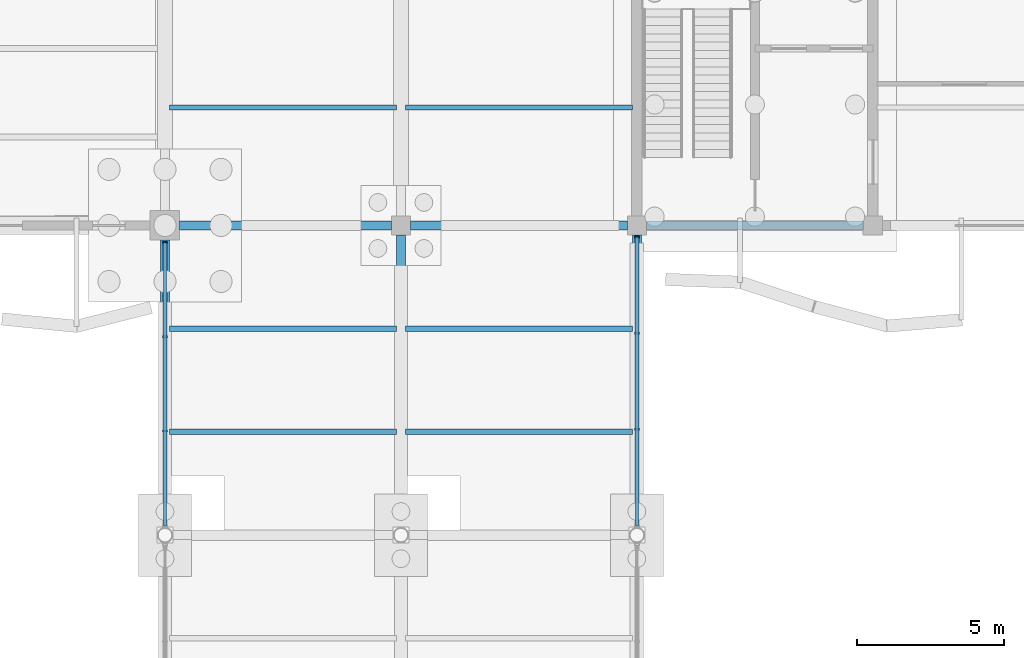
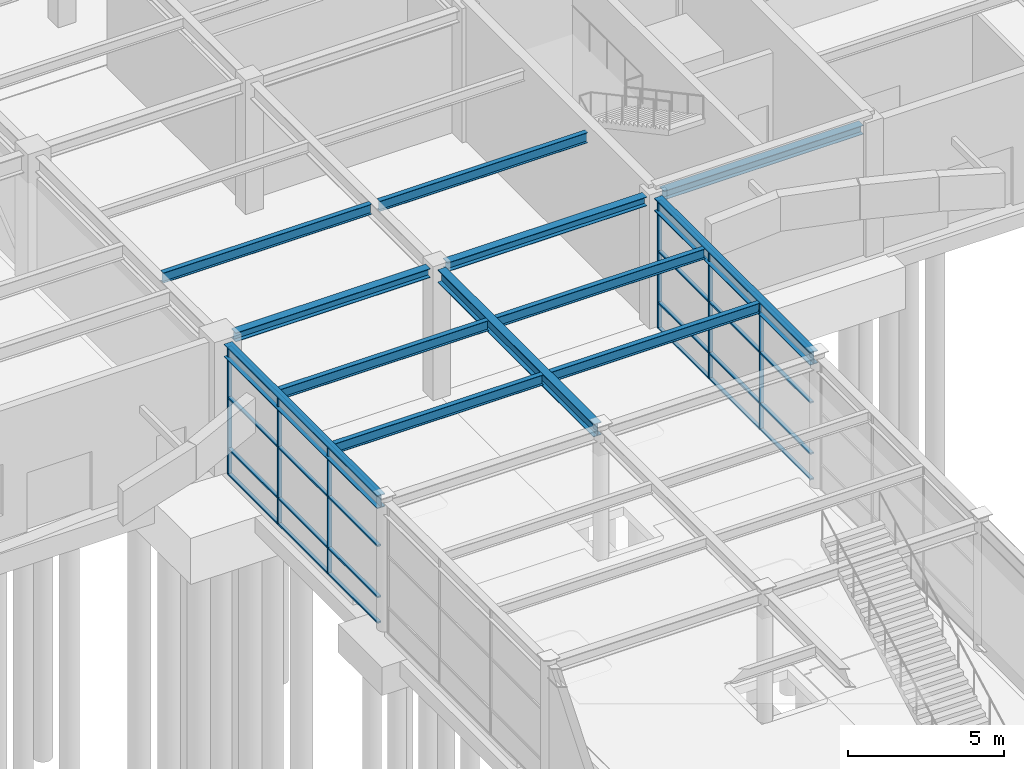
# One storey, part 42 of 85: 14 members, 12 beams, 2 elements without a shape of their own.
"""IFC4 building model written with IfcOpenShell, lengths in metres."""

from ifc_helpers import new_model, si_unit, direction, frame, origin, origin_2d, place, context, subcontext, project, spatial, rectangle, i_section, extrude, material, layer, layer_set, material_profile, profile_set, type_object, element, aggregate, save


model = new_model("IFC4")

# Units and contexts
model_context = context("Model", 3, precision=1e-05, world=origin(), true_north=direction((0.0, 1.0)))
body_context = subcontext(model_context, "Body", "Model", "MODEL_VIEW")
ifc_project = project(units=[si_unit("LENGTHUNIT", "METRE"), si_unit("AREAUNIT", "SQUARE_METRE"), si_unit("VOLUMEUNIT", "CUBIC_METRE"), si_unit("PLANEANGLEUNIT", "RADIAN"), si_unit("MASSUNIT", "GRAM", prefix="KILO")], contexts=[model_context])

# Site, building, storey
site_placement = place(None, origin())
site = spatial("IfcSite", under=ifc_project, at=site_placement, CompositionType="ELEMENT")
building_placement = place(site_placement, origin())
building = spatial("IfcBuilding", under=site, at=building_placement, Name="Keelwater Ferry Terminal", CompositionType="ELEMENT")
storey_placement = place(building_placement, origin())
storey = spatial("IfcBuildingStorey", under=building, at=storey_placement, Name="L00", CompositionType="ELEMENT", Elevation=0.0)

# Curtain wall, members
ifc_material_1 = material(Name="Thermally broken unitised aluminium and triple glass", Category="aluminium")
ifc_layer_1 = layer(ifc_material_1, 0.179931640625)
ifc_layer_set_1 = layer_set([ifc_layer_1], Name="Thermally broken unitised aluminium and triple glass")
curtain_wall_type_1 = type_object("IfcCurtainWallType", Name="CW-12 Unitised Curtain Wall 9596x4950", PredefinedType="USERDEFINED", material=ifc_layer_set_1)
curtain_wall_1_placement = place(storey_placement, origin())
curtain_wall_1 = element("IfcCurtainWall", 1, at=curtain_wall_1_placement, inside=storey, type_object=curtain_wall_type_1, Name="Unitised Curtain Wall CW-L00-063", ObjectType="UNITISED CURTAIN WALL", PredefinedType="USERDEFINED")
ifc_material_2 = material(Name="Aluminium mullion", Category="aluminium")
ifc_material_profile_1 = material_profile(ifc_material_2, rectangle(XDim=0.06005859375, YDim=0.14990234375, at=origin_2d()), Name="CWM-03")
ifc_profile_set_1 = profile_set([ifc_material_profile_1], Name="Aluminium mullion")
member_type_1 = type_object("IfcMemberType", Name="CWM-03 Curtain Mullion 60x150", PredefinedType="MULLION", material=ifc_profile_set_1)
member_1_placement = place(storey_placement, frame((132.0, 35.027587890625, 0.0), z_axis=(0.0, 0.0, 1.0), x_axis=(0.0, 1.0, 0.0)))
member_1 = element("IfcMember", 2, at=member_1_placement, type_object=member_type_1, Name="CW-L00-063 Mullion 2", PredefinedType="MULLION", context=body_context, shape_type="SweptSolid", body=[
    extrude(rectangle(XDim=0.06005859375, YDim=0.14990234375, at=origin_2d()), origin(), (0.0, 0.0, 1.0), 4.949951171875),
])
member_2_placement = place(storey_placement, frame((132.0, 38.226318359375, 0.0), z_axis=(0.0, 0.0, 1.0), x_axis=(0.0, 1.0, 0.0)))
member_2 = element("IfcMember", 3, at=member_2_placement, type_object=member_type_1, Name="CW-L00-063 Mullion 3", PredefinedType="MULLION", context=body_context, shape_type="SweptSolid", body=[
    extrude(rectangle(XDim=0.06005859375, YDim=0.14990234375, at=origin_2d()), origin(), (0.0, 0.0, 1.0), 4.949951171875),
])
member_3_placement = place(storey_placement, frame((132.0, 41.425048828125, 0.0), z_axis=(0.0, 0.0, 1.0), x_axis=(0.0, 1.0, 0.0)))
member_3 = element("IfcMember", 4, at=member_3_placement, type_object=member_type_1, Name="CW-L00-063 Mullion 4", PredefinedType="MULLION", context=body_context, shape_type="SweptSolid", body=[
    extrude(rectangle(XDim=0.06005859375, YDim=0.14990234375, at=origin_2d()), origin(), (0.0, 0.0, 1.0), 4.949951171875),
])

ifc_material_3 = material(Name="Thermally broken unitised aluminium and triple glass", Category="aluminium")
ifc_layer_2 = layer(ifc_material_3, 0.179931640625)
ifc_layer_set_2 = layer_set([ifc_layer_2], Name="Thermally broken unitised aluminium and triple glass")
curtain_wall_type_2 = type_object("IfcCurtainWallType", Name="CW-10 Unitised Curtain Wall 9771x4950", PredefinedType="USERDEFINED", material=ifc_layer_set_2)
curtain_wall_2_placement = place(storey_placement, origin())
curtain_wall_2 = element("IfcCurtainWall", 5, at=curtain_wall_2_placement, inside=storey, type_object=curtain_wall_type_2, Name="Unitised Curtain Wall CW-L00-069", ObjectType="UNITISED CURTAIN WALL", PredefinedType="USERDEFINED")
member_4_placement = place(storey_placement, frame((148.0, 35.0859375, 0.0), z_axis=(0.0, 0.0, 1.0), x_axis=(0.0, 1.0, 0.0)))
member_4 = element("IfcMember", 6, at=member_4_placement, type_object=member_type_1, Name="CW-L00-069 Mullion 2", PredefinedType="MULLION", context=body_context, shape_type="SweptSolid", body=[
    extrude(rectangle(XDim=0.06005859375, YDim=0.14990234375, at=origin_2d()), origin(), (0.0, 0.0, 1.0), 4.949951171875),
])
member_5_placement = place(storey_placement, frame((148.0, 38.343017578125, 0.0), z_axis=(0.0, 0.0, 1.0), x_axis=(0.0, 1.0, 0.0)))
member_5 = element("IfcMember", 7, at=member_5_placement, type_object=member_type_1, Name="CW-L00-069 Mullion 3", PredefinedType="MULLION", context=body_context, shape_type="SweptSolid", body=[
    extrude(rectangle(XDim=0.06005859375, YDim=0.14990234375, at=origin_2d()), origin(), (0.0, 0.0, 1.0), 4.949951171875),
])
member_6_placement = place(storey_placement, frame((148.0, 41.60009765625, 0.0), z_axis=(0.0, 0.0, 1.0), x_axis=(0.0, 1.0, 0.0)))
member_6 = element("IfcMember", 8, at=member_6_placement, type_object=member_type_1, Name="CW-L00-069 Mullion 4", PredefinedType="MULLION", context=body_context, shape_type="SweptSolid", body=[
    extrude(rectangle(XDim=0.06005859375, YDim=0.14990234375, at=origin_2d()), origin(), (0.0, 0.0, 1.0), 4.949951171875),
])

# Member
ifc_material_4 = material(Name="Aluminium mullion", Category="aluminium")
ifc_material_profile_2 = material_profile(ifc_material_4, rectangle(XDim=0.135009765625, YDim=0.06005859375, at=origin_2d()), Name="CWT-03")
ifc_profile_set_2 = profile_set([ifc_material_profile_2], Name="Aluminium mullion")
member_type_2 = type_object("IfcMemberType", Name="CWT-03 Curtain Transom 60x135", PredefinedType="USERDEFINED", material=ifc_profile_set_2)
member_7_placement = place(storey_placement, frame((132.0, 31.8291015625, 0.0), z_axis=(0.0, 1.0, 0.0), x_axis=(-1.0, 0.0, 0.0)))
member_7 = element("IfcMember", 9, at=member_7_placement, type_object=member_type_2, Name="CW-L00-063 Transom 1", ObjectType="TRANSOM", PredefinedType="USERDEFINED", context=body_context, shape_type="SweptSolid", body=[
    extrude(rectangle(XDim=0.135009765625, YDim=0.06005859375, at=origin_2d()), origin(), (0.0, 0.0, 1.0), 9.595947265625),
])

member_8_placement = place(storey_placement, frame((132.0, 31.8291015625, 1.0), z_axis=(0.0, 1.0, 0.0), x_axis=(-1.0, 0.0, 0.0)))
member_8 = element("IfcMember", 10, at=member_8_placement, type_object=member_type_2, Name="CW-L00-063 Transom 2", ObjectType="TRANSOM", PredefinedType="USERDEFINED", context=body_context, shape_type="SweptSolid", body=[
    extrude(rectangle(XDim=0.135009765625, YDim=0.06005859375, at=origin_2d()), origin(), (0.0, 0.0, 1.0), 9.595947265625),
])

member_9_placement = place(storey_placement, frame((132.0, 31.8291015625, 3.0), z_axis=(0.0, 1.0, 0.0), x_axis=(-1.0, 0.0, 0.0)))
member_9 = element("IfcMember", 11, at=member_9_placement, type_object=member_type_2, Name="CW-L00-063 Transom 3", ObjectType="TRANSOM", PredefinedType="USERDEFINED", context=body_context, shape_type="SweptSolid", body=[
    extrude(rectangle(XDim=0.135009765625, YDim=0.06005859375, at=origin_2d()), origin(), (0.0, 0.0, 1.0), 9.595947265625),
])

member_10_placement = place(storey_placement, frame((132.0, 31.8291015625, 4.949951171875), z_axis=(0.0, 1.0, 0.0), x_axis=(-1.0, 0.0, 0.0)))
member_10 = element("IfcMember", 12, at=member_10_placement, type_object=member_type_2, Name="CW-L00-063 Transom 4", ObjectType="TRANSOM", PredefinedType="USERDEFINED", context=body_context, shape_type="SweptSolid", body=[
    extrude(rectangle(XDim=0.135009765625, YDim=0.06005859375, at=origin_2d()), origin(), (0.0, 0.0, 1.0), 9.595947265625),
])

aggregate(curtain_wall_1, [member_1, member_2, member_3, member_7, member_8, member_9, member_10])

member_11_placement = place(storey_placement, frame((148.0, 31.8291015625, 0.0), z_axis=(0.0, 1.0, 0.0), x_axis=(-1.0, 0.0, 0.0)))
member_11 = element("IfcMember", 13, at=member_11_placement, type_object=member_type_2, Name="CW-L00-069 Transom 1", ObjectType="TRANSOM", PredefinedType="USERDEFINED", context=body_context, shape_type="SweptSolid", body=[
    extrude(rectangle(XDim=0.135009765625, YDim=0.06005859375, at=origin_2d()), origin(), (0.0, 0.0, 1.0), 9.77099609375),
])

member_12_placement = place(storey_placement, frame((148.0, 31.8291015625, 1.0), z_axis=(0.0, 1.0, 0.0), x_axis=(-1.0, 0.0, 0.0)))
member_12 = element("IfcMember", 14, at=member_12_placement, type_object=member_type_2, Name="CW-L00-069 Transom 2", ObjectType="TRANSOM", PredefinedType="USERDEFINED", context=body_context, shape_type="SweptSolid", body=[
    extrude(rectangle(XDim=0.135009765625, YDim=0.06005859375, at=origin_2d()), origin(), (0.0, 0.0, 1.0), 9.77099609375),
])

member_13_placement = place(storey_placement, frame((148.0, 31.8291015625, 3.0), z_axis=(0.0, 1.0, 0.0), x_axis=(-1.0, 0.0, 0.0)))
member_13 = element("IfcMember", 15, at=member_13_placement, type_object=member_type_2, Name="CW-L00-069 Transom 3", ObjectType="TRANSOM", PredefinedType="USERDEFINED", context=body_context, shape_type="SweptSolid", body=[
    extrude(rectangle(XDim=0.135009765625, YDim=0.06005859375, at=origin_2d()), origin(), (0.0, 0.0, 1.0), 9.77099609375),
])

member_14_placement = place(storey_placement, frame((148.0, 31.8291015625, 4.949951171875), z_axis=(0.0, 1.0, 0.0), x_axis=(-1.0, 0.0, 0.0)))
member_14 = element("IfcMember", 16, at=member_14_placement, type_object=member_type_2, Name="CW-L00-069 Transom 4", ObjectType="TRANSOM", PredefinedType="USERDEFINED", context=body_context, shape_type="SweptSolid", body=[
    extrude(rectangle(XDim=0.135009765625, YDim=0.06005859375, at=origin_2d()), origin(), (0.0, 0.0, 1.0), 9.77099609375),
])

aggregate(curtain_wall_2, [member_4, member_5, member_6, member_11, member_12, member_13, member_14])

# Beams
ifc_material_5 = material(Name="Steel S355", Category="steel")
ifc_material_profile_3 = material_profile(ifc_material_5, i_section(OverallWidth=0.300048828125, OverallDepth=0.5, WebThickness=0.014404296875, FlangeThickness=0.028076171875, at=origin_2d()), Name="HEB 500")
ifc_profile_set_3 = profile_set([ifc_material_profile_3], Name="Steel S355")
beam_type_1 = type_object("IfcBeamType", Name="G5 HEB 500", PredefinedType="BEAM", material=ifc_profile_set_3)
beam_1_placement = place(storey_placement, frame((140.0, 31.7080078125, 4.81005859375), z_axis=(0.0, 1.0, 0.0), x_axis=(-1.0, 0.0, 0.0)))
element("IfcBeam", 17, at=beam_1_placement, inside=storey, type_object=beam_type_1, Name="Beam BM-L00-0259", PredefinedType="BEAM", context=body_context, shape_type="SweptSolid", body=[
    extrude(i_section(OverallWidth=0.300048828125, OverallDepth=0.5, WebThickness=0.014404296875, FlangeThickness=0.028076171875, at=origin_2d()), origin(), (0.0, 0.0, 1.0), 9.973876953125),
])
ifc_material_6 = material(Name="Steel S355", Category="steel")
ifc_material_profile_4 = material_profile(ifc_material_6, i_section(OverallWidth=0.300048828125, OverallDepth=0.5, WebThickness=0.014404296875, FlangeThickness=0.028076171875, at=origin_2d()), Name="HEB 500")
ifc_profile_set_4 = profile_set([ifc_material_profile_4], Name="Steel S355")
beam_type_2 = type_object("IfcBeamType", Name="G5E HEB 500", PredefinedType="BEAM", material=ifc_profile_set_4)
beam_2_placement = place(storey_placement, frame((132.0, 31.7080078125, 4.81005859375), z_axis=(0.0, 1.0, 0.0), x_axis=(-1.0, 0.0, 0.0)))
element("IfcBeam", 18, at=beam_2_placement, inside=storey, type_object=beam_type_2, Name="Beam BM-L00-0247", PredefinedType="BEAM", context=body_context, shape_type="SweptSolid", body=[
    extrude(i_section(OverallWidth=0.300048828125, OverallDepth=0.5, WebThickness=0.014404296875, FlangeThickness=0.028076171875, at=origin_2d()), origin(), (0.0, 0.0, 1.0), 9.802001953125),
])
beam_3_placement = place(storey_placement, frame((148.0, 31.7080078125, 4.81005859375), z_axis=(0.0, 1.0, 0.0), x_axis=(-1.0, 0.0, 0.0)))
element("IfcBeam", 19, at=beam_3_placement, inside=storey, type_object=beam_type_2, Name="Beam BM-L00-0270", PredefinedType="BEAM", context=body_context, shape_type="SweptSolid", body=[
    extrude(i_section(OverallWidth=0.300048828125, OverallDepth=0.5, WebThickness=0.014404296875, FlangeThickness=0.028076171875, at=origin_2d()), origin(), (0.0, 0.0, 1.0), 9.973876953125),
])
ifc_material_7 = material(Name="Steel S355", Category="steel")
ifc_material_profile_5 = material_profile(ifc_material_7, i_section(OverallWidth=0.179931640625, OverallDepth=0.39990234375, WebThickness=0.008544921875, FlangeThickness=0.013427734375, at=origin_2d()), Name="IPE 400")
ifc_profile_set_5 = profile_set([ifc_material_profile_5], Name="Steel S355")
beam_type_3 = type_object("IfcBeamType", Name="J5 IPE 400", PredefinedType="JOIST", material=ifc_profile_set_5)
for number, where, z_axis, x_axis, name in (
    (20, (132.14990234375, 35.0, 4.860107421875), (1.0, 0.0, 0.0), (0.0, 1.0, 0.0), "Beam BM-L00-0507"),
    (21, (132.14990234375, 38.5, 4.860107421875), (1.0, 0.0, 0.0), (0.0, 1.0, 0.0), "Beam BM-L00-0508"),
    (22, (132.14990234375, 46.0, 4.860107421875), (1.0, 0.0, 0.0), (0.0, 1.0, 0.0), "Beam BM-L00-0509"),
    (23, (140.14990234375, 35.0, 4.860107421875), (1.0, 0.0, 0.0), (0.0, 1.0, 0.0), "Beam BM-L00-0527"),
    (24, (140.14990234375, 38.5, 4.860107421875), (1.0, 0.0, 0.0), (0.0, 1.0, 0.0), "Beam BM-L00-0528"),
    (25, (140.14990234375, 46.0, 4.860107421875), (1.0, 0.0, 0.0), (0.0, 1.0, 0.0), "Beam BM-L00-0529"),
):
    element("IfcBeam", number, at=place(storey_placement, frame(where, z_axis=z_axis, x_axis=x_axis)), inside=storey, type_object=beam_type_3, Name=name, PredefinedType="JOIST", context=body_context, shape_type="SweptSolid", body=[
        extrude(i_section(OverallWidth=0.179931640625, OverallDepth=0.39990234375, WebThickness=0.008544921875, FlangeThickness=0.013427734375, at=origin_2d()), origin(), (0.0, 0.0, 1.0), 7.7001953125),
    ])
ifc_material_8 = material(Name="Steel S355", Category="steel")
ifc_material_profile_6 = material_profile(ifc_material_8, i_section(OverallWidth=0.300048828125, OverallDepth=0.35009765625, WebThickness=0.010009765625, FlangeThickness=0.017578125, at=origin_2d()), Name="HEA 360")
ifc_profile_set_6 = profile_set([ifc_material_profile_6], Name="Steel S355")
beam_type_4 = type_object("IfcBeamType", Name="SP1E HEA 360", PredefinedType="SPANDREL", material=ifc_profile_set_6)
beam_4_placement = place(storey_placement, frame((132.489990234375, 42.0, 4.885009765625), z_axis=(1.0, 0.0, 0.0), x_axis=(0.0, 1.0, 0.0)))
element("IfcBeam", 26, at=beam_4_placement, inside=storey, type_object=beam_type_4, Name="Beam BM-L00-0027", PredefinedType="SPANDREL", context=body_context, shape_type="SweptSolid", body=[
    extrude(i_section(OverallWidth=0.300048828125, OverallDepth=0.35009765625, WebThickness=0.010009765625, FlangeThickness=0.017578125, at=origin_2d()), origin(), (0.0, 0.0, 1.0), 7.19189453125),
])
for number, where, z_axis, x_axis, name in (
    (27, (140.318115234375, 42.0, 4.885009765625), (1.0, 0.0, 0.0), (0.0, 1.0, 0.0), "Beam BM-L00-0028"),
    (28, (148.318115234375, 42.0, 4.885009765625), (1.0, 0.0, 0.0), (0.0, 1.0, 0.0), "Beam BM-L00-0029"),
):
    element("IfcBeam", number, at=place(storey_placement, frame(where, z_axis=z_axis, x_axis=x_axis)), inside=storey, type_object=beam_type_4, Name=name, PredefinedType="SPANDREL", context=body_context, shape_type="SweptSolid", body=[
        extrude(i_section(OverallWidth=0.300048828125, OverallDepth=0.35009765625, WebThickness=0.010009765625, FlangeThickness=0.017578125, at=origin_2d()), origin(), (0.0, 0.0, 1.0), 7.36376953125),
    ])

save(model, "model.ifc")
